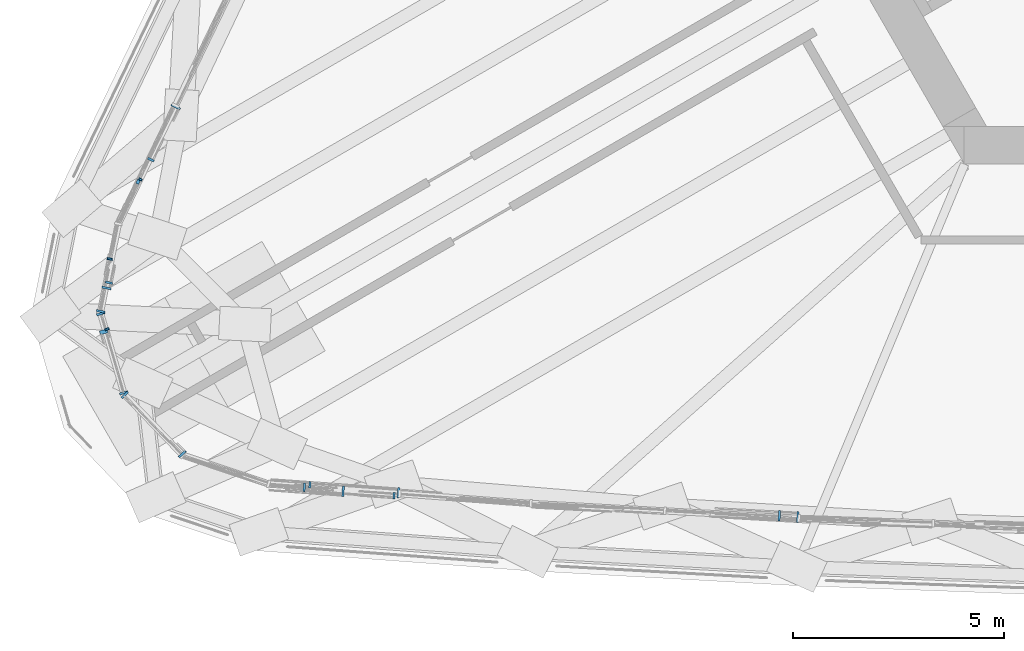
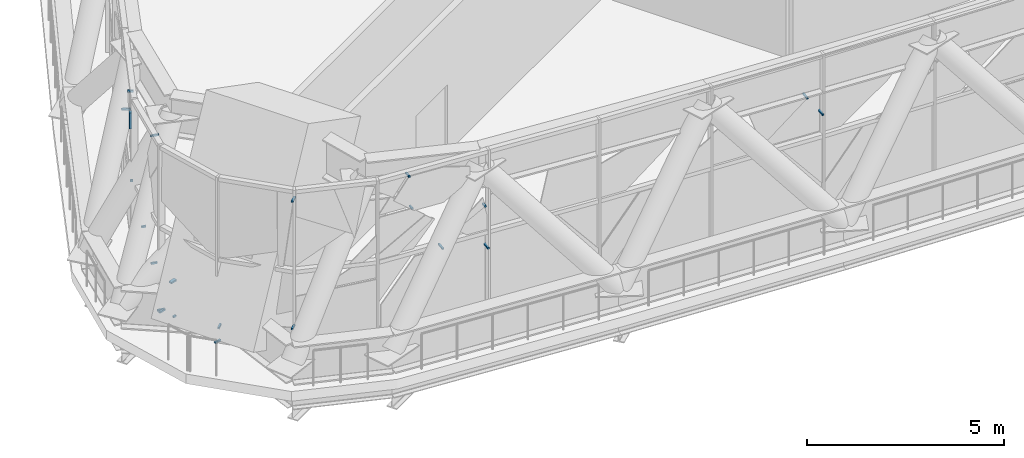
# One storey, part 33 of 43: 22 discrete accessories, 3 elements without a shape of their own.
"""IFC4 building model written with IfcOpenShell, lengths in metres."""

from ifc_helpers import new_model, si_unit, direction, frame, origin, origin_2d, place, context, subcontext, project, spatial, rectangle, extrude, material, layer, layer_set, type_object, element, aggregate, save


model = new_model("IFC4")

# Units and contexts
model_context = context("Model", 3, precision=1e-05, world=origin(), true_north=direction((0.0, 1.0)))
body_context = subcontext(model_context, "Body", "Model", "MODEL_VIEW")
ifc_project = project(units=[si_unit("LENGTHUNIT", "METRE"), si_unit("AREAUNIT", "SQUARE_METRE"), si_unit("VOLUMEUNIT", "CUBIC_METRE"), si_unit("PLANEANGLEUNIT", "RADIAN"), si_unit("MASSUNIT", "GRAM", prefix="KILO")], contexts=[model_context])

# Site, building, storey
site_placement = place(None, origin())
site = spatial("IfcSite", under=ifc_project, at=site_placement, CompositionType="ELEMENT")
building_placement = place(site_placement, origin())
building = spatial("IfcBuilding", under=site, at=building_placement, Name="Mestral Congress Tower", CompositionType="ELEMENT")
storey_placement = place(building_placement, frame((0.0, 0.0, 78.300048828125)))
storey = spatial("IfcBuildingStorey", under=building, at=storey_placement, Name="L18", CompositionType="ELEMENT", Elevation=78.300048828125)

# Curtain wall, discrete accessories
ifc_material_1 = material(Name="Clear low-emissivity double glazing", Category="glass")
curtain_wall_type = type_object("IfcCurtainWallType", Name="Facade refuge band screen", PredefinedType="USERDEFINED", material=ifc_material_1)
placement = place(storey_placement, origin())
curtain_wall_1 = element("IfcCurtainWall", 1, at=placement, inside=storey, type_object=curtain_wall_type, Name="Facade refuge band screen face 1", ObjectType="CURTAIN WALL", PredefinedType="USERDEFINED")
ifc_material_2 = material(Name="Steel S355", Category="steel")
ifc_layer = layer(ifc_material_2, 0.050048828125)
ifc_layer_set = layer_set([ifc_layer], Name="Steel S355")
discrete_accessory_type = type_object("IfcDiscreteAccessoryType", Name="Facade bracket", PredefinedType="BRACKET", material=ifc_layer_set)
discrete_accessory_1_placement = place(storey_placement, frame((-25.4521484375, -20.802490234375, 2.08837890625), z_axis=(0.0, 0.0, 1.0), x_axis=(0.997265942425, -0.073896143867, 0.0)))
discrete_accessory_1 = element("IfcDiscreteAccessory", 2, at=discrete_accessory_1_placement, type_object=discrete_accessory_type, Name="Facade bracket", PredefinedType="BRACKET", context=body_context, shape_type="SweptSolid", body=[
    extrude(rectangle(XDim=0.050048828125, YDim=0.240966796875, at=origin_2d()), origin(), (0.0, 0.0, 1.0), 0.050048828125),
])
discrete_accessory_2_placement = place(storey_placement, frame((-26.76708984375, -20.766357421875, 2.51513671875), z_axis=(0.0, 0.0, 1.0), x_axis=(0.997271356616, -0.073823040257, 0.0)))
discrete_accessory_2 = element("IfcDiscreteAccessory", 3, at=discrete_accessory_2_placement, type_object=discrete_accessory_type, Name="Facade bracket", PredefinedType="BRACKET", context=body_context, shape_type="SweptSolid", body=[
    extrude(rectangle(XDim=0.050048828125, YDim=0.247314453125, at=origin_2d()), origin(), (0.0, 0.0, 1.0), 0.050048828125),
])
discrete_accessory_3_placement = place(storey_placement, frame((-25.558349609375, -20.871337890625, 3.43896484375), z_axis=(0.0, 0.0, 1.0), x_axis=(0.997254710269, -0.07404757151, 0.0)))
discrete_accessory_3 = element("IfcDiscreteAccessory", 4, at=discrete_accessory_3_placement, type_object=discrete_accessory_type, Name="Facade bracket", PredefinedType="BRACKET", context=body_context, shape_type="SweptSolid", body=[
    extrude(rectangle(XDim=0.050048828125, YDim=0.15380859375, at=origin_2d()), origin(), (0.0, 0.0, 1.0), 0.050048828125),
])
discrete_accessory_4_placement = place(storey_placement, frame((-27.68798828125, -20.67529296875, 5.0048828125), z_axis=(0.0, 0.0, 1.0), x_axis=(0.997266716209, -0.073885700518, 0.0)))
discrete_accessory_4 = element("IfcDiscreteAccessory", 5, at=discrete_accessory_4_placement, type_object=discrete_accessory_type, Name="Facade bracket", PredefinedType="BRACKET", context=body_context, shape_type="SweptSolid", body=[
    extrude(rectangle(XDim=0.050048828125, YDim=0.204833984375, at=origin_2d()), origin(), (0.0, 0.0, 1.0), 0.050048828125),
])
discrete_accessory_5_placement = place(storey_placement, frame((-27.555908203125, -20.614990234375, 3.9130859375), z_axis=(0.0, 0.0, 1.0), x_axis=(0.997269294699, -0.073850889298, 0.0)))
discrete_accessory_5 = element("IfcDiscreteAccessory", 6, at=discrete_accessory_5_placement, type_object=discrete_accessory_type, Name="Facade bracket", PredefinedType="BRACKET", context=body_context, shape_type="SweptSolid", body=[
    extrude(rectangle(XDim=0.050048828125, YDim=0.14990234375, at=origin_2d()), origin(), (0.0, 0.0, 1.0), 0.050048828125),
])
discrete_accessory_6_placement = place(storey_placement, frame((-15.969482421875, -21.380126953125, 3.2666015625), z_axis=(0.0, 0.0, 1.0), x_axis=(0.998462027739, -0.055439869801, 0.0)))
discrete_accessory_6 = element("IfcDiscreteAccessory", 7, at=discrete_accessory_6_placement, type_object=discrete_accessory_type, Name="Facade bracket", PredefinedType="BRACKET", context=body_context, shape_type="SweptSolid", body=[
    extrude(rectangle(XDim=0.050048828125, YDim=0.25537109375, at=origin_2d()), origin(), (0.0, 0.0, 1.0), 0.050048828125),
])
discrete_accessory_7_placement = place(storey_placement, frame((-16.40869140625, -21.352783203125, 3.91259765625), z_axis=(0.0, 0.0, 1.0), x_axis=(0.998462608249, -0.055429413928, 0.0)))
discrete_accessory_7 = element("IfcDiscreteAccessory", 8, at=discrete_accessory_7_placement, type_object=discrete_accessory_type, Name="Facade bracket", PredefinedType="BRACKET", context=body_context, shape_type="SweptSolid", body=[
    extrude(rectangle(XDim=0.050048828125, YDim=0.249267578125, at=origin_2d()), origin(), (0.0, 0.0, 1.0), 0.050048828125),
])
aggregate(curtain_wall_1, [discrete_accessory_1, discrete_accessory_2, discrete_accessory_3, discrete_accessory_4, discrete_accessory_5, discrete_accessory_6, discrete_accessory_7])

curtain_wall_2 = element("IfcCurtainWall", 9, at=placement, inside=storey, type_object=curtain_wall_type, Name="Facade refuge band screen face 3", ObjectType="CURTAIN WALL", PredefinedType="USERDEFINED")
discrete_accessory_8_placement = place(storey_placement, frame((-31.580078125, -13.361328125, 1.75341796875), z_axis=(0.0, 0.0, 1.0), x_axis=(-0.434662182869, -0.900593574696, 0.0)))
discrete_accessory_8 = element("IfcDiscreteAccessory", 10, at=discrete_accessory_8_placement, type_object=discrete_accessory_type, Name="Facade bracket", PredefinedType="BRACKET", context=body_context, shape_type="SweptSolid", body=[
    extrude(rectangle(XDim=0.050048828125, YDim=0.075927734375, at=origin_2d()), origin(), (0.0, 0.0, 1.0), 0.050048828125),
])
discrete_accessory_9_placement = place(storey_placement, frame((-30.742919921875, -11.639892578125, 2.634765625), z_axis=(0.0, 0.0, 1.0), x_axis=(-0.434706193654, -0.900572332019, 0.0)))
discrete_accessory_9 = element("IfcDiscreteAccessory", 11, at=discrete_accessory_9_placement, type_object=discrete_accessory_type, Name="Facade bracket", PredefinedType="BRACKET", context=body_context, shape_type="SweptSolid", body=[
    extrude(rectangle(XDim=0.05078125, YDim=0.239501953125, at=origin_2d()), origin(), (0.0, 0.0, 1.0), 0.050048828125),
])
discrete_accessory_10_placement = place(storey_placement, frame((-31.63623046875, -13.4189453125, 3.46337890625), z_axis=(0.0, 0.0, 1.0), x_axis=(-0.434729770434, -0.900560951129, 0.0)))
discrete_accessory_10 = element("IfcDiscreteAccessory", 12, at=discrete_accessory_10_placement, type_object=discrete_accessory_type, Name="Facade bracket", PredefinedType="BRACKET", context=body_context, shape_type="SweptSolid", body=[
    extrude(rectangle(XDim=0.10595703125, YDim=0.072998046875, at=origin_2d()), origin(), (0.0, 0.0, 1.0), 0.49951171875),
])
discrete_accessory_11_placement = place(storey_placement, frame((-31.33251953125, -12.8916015625, 4.15869140625), z_axis=(0.0, 0.0, 1.0), x_axis=(-0.434679472944, -0.900585229615, 0.0)))
discrete_accessory_11 = element("IfcDiscreteAccessory", 13, at=discrete_accessory_11_placement, type_object=discrete_accessory_type, Name="Facade bracket", PredefinedType="BRACKET", context=body_context, shape_type="SweptSolid", body=[
    extrude(rectangle(XDim=0.05126953125, YDim=0.15869140625, at=origin_2d()), origin(), (0.0, 0.0, 1.0), 0.050048828125),
])
aggregate(curtain_wall_2, [discrete_accessory_8, discrete_accessory_9, discrete_accessory_10, discrete_accessory_11])

curtain_wall_3 = element("IfcCurtainWall", 14, at=placement, inside=storey, type_object=curtain_wall_type, Name="Facade refuge band screen corner 3", ObjectType="CURTAIN WALL", PredefinedType="USERDEFINED")
discrete_accessory_12_placement = place(storey_placement, frame((-32.5244140625, -16.495361328125, -0.02490234375), z_axis=(0.0, 0.0, 1.0), x_axis=(-0.198115838856, -0.980178613516, 0.0)))
discrete_accessory_12 = element("IfcDiscreteAccessory", 15, at=discrete_accessory_12_placement, type_object=discrete_accessory_type, Name="Facade bracket", PredefinedType="BRACKET", context=body_context, shape_type="SweptSolid", body=[
    extrude(rectangle(XDim=0.050048828125, YDim=0.199951171875, at=origin_2d()), origin(), (0.0, 0.0, 1.0), 0.050048828125),
])
discrete_accessory_13_placement = place(storey_placement, frame((-32.327880859375, -15.81396484375, 0.9453125), z_axis=(0.0, 0.0, 1.0), x_axis=(-0.198163739183, -0.980168930579, 0.0)))
discrete_accessory_13 = element("IfcDiscreteAccessory", 16, at=discrete_accessory_13_placement, type_object=discrete_accessory_type, Name="Facade bracket", PredefinedType="BRACKET", context=body_context, shape_type="SweptSolid", body=[
    extrude(rectangle(XDim=0.050048828125, YDim=0.17333984375, at=origin_2d()), origin(), (0.0, 0.0, 1.0), 0.050048828125),
])
discrete_accessory_14_placement = place(storey_placement, frame((-32.309326171875, -15.251220703125, 1.7275390625), z_axis=(0.0, 0.0, 1.0), x_axis=(-0.197970424252, -0.980207993806, 0.0)))
discrete_accessory_14 = element("IfcDiscreteAccessory", 17, at=discrete_accessory_14_placement, type_object=discrete_accessory_type, Name="Facade bracket", PredefinedType="BRACKET", context=body_context, shape_type="SweptSolid", body=[
    extrude(rectangle(XDim=0.05029296875, YDim=0.12255859375, at=origin_2d()), origin(), (0.0, 0.0, 1.0), 0.051025390625),
])
discrete_accessory_15_placement = place(storey_placement, frame((-32.385498046875, -15.940185546875, 5.0048828125), z_axis=(0.0, 0.0, 1.0), x_axis=(-0.197990953637, -0.980203847308, 0.0)))
discrete_accessory_15 = element("IfcDiscreteAccessory", 18, at=discrete_accessory_15_placement, type_object=discrete_accessory_type, Name="Facade bracket", PredefinedType="BRACKET", context=body_context, shape_type="SweptSolid", body=[
    extrude(rectangle(XDim=0.050048828125, YDim=0.216796875, at=origin_2d()), origin(), (0.0, 0.0, 1.0), 0.050048828125),
])
discrete_accessory_16_placement = place(storey_placement, frame((-31.977294921875, -18.4287109375, -0.02490234375), z_axis=(0.0, 0.0, 1.0), x_axis=(0.278820146696, -0.960343337456, 0.0)))
discrete_accessory_16 = element("IfcDiscreteAccessory", 19, at=discrete_accessory_16_placement, type_object=discrete_accessory_type, Name="Facade bracket", PredefinedType="BRACKET", context=body_context, shape_type="SweptSolid", body=[
    extrude(rectangle(XDim=0.050048828125, YDim=0.199951171875, at=origin_2d()), origin(), (0.0, 0.0, 1.0), 0.050048828125),
])
discrete_accessory_17_placement = place(storey_placement, frame((-32.523193359375, -16.5517578125, -0.02490234375), z_axis=(0.0, 0.0, 1.0), x_axis=(0.278707845063, -0.960375935298, 0.0)))
discrete_accessory_17 = element("IfcDiscreteAccessory", 20, at=discrete_accessory_17_placement, type_object=discrete_accessory_type, Name="Facade bracket", PredefinedType="BRACKET", context=body_context, shape_type="SweptSolid", body=[
    extrude(rectangle(XDim=0.05419921875, YDim=0.199951171875, at=origin_2d()), origin(), (0.0, 0.0, 1.0), 0.050048828125),
])
discrete_accessory_18_placement = place(storey_placement, frame((-32.372314453125, -16.917236328125, -0.02490234375), z_axis=(0.0, 0.0, 1.0), x_axis=(0.279229093538, -0.960224511936, 0.0)))
discrete_accessory_18 = element("IfcDiscreteAccessory", 21, at=discrete_accessory_18_placement, type_object=discrete_accessory_type, Name="Facade bracket", PredefinedType="BRACKET", context=body_context, shape_type="SweptSolid", body=[
    extrude(rectangle(XDim=0.050048828125, YDim=0.095947265625, at=origin_2d()), origin(), (0.0, 0.0, 1.0), 0.050048828125),
])
discrete_accessory_19_placement = place(storey_placement, frame((-32.453857421875, -16.98095703125, 1.1328125), z_axis=(0.0, 0.0, 1.0), x_axis=(0.278960937386, -0.960302449967, 0.0)))
discrete_accessory_19 = element("IfcDiscreteAccessory", 22, at=discrete_accessory_19_placement, type_object=discrete_accessory_type, Name="Facade bracket", PredefinedType="BRACKET", context=body_context, shape_type="SweptSolid", body=[
    extrude(rectangle(XDim=0.09326171875, YDim=0.188232421875, at=origin_2d()), origin(), (0.0, 0.0, 1.0), 0.05029296875),
])
discrete_accessory_20_placement = place(storey_placement, frame((-30.5966796875, -19.887939453125, 0.81787109375), z_axis=(0.0, 0.0, 1.0), x_axis=(0.692274172228, -0.721634582365, 0.0)))
discrete_accessory_20 = element("IfcDiscreteAccessory", 23, at=discrete_accessory_20_placement, type_object=discrete_accessory_type, Name="Facade bracket", PredefinedType="BRACKET", context=body_context, shape_type="SweptSolid", body=[
    extrude(rectangle(XDim=0.050048828125, YDim=0.199951171875, at=origin_2d()), origin(), (0.0, 0.0, 1.0), 0.050048828125),
])
discrete_accessory_21_placement = place(storey_placement, frame((-31.94921875, -18.479736328125, 0.466796875), z_axis=(0.0, 0.0, 1.0), x_axis=(0.692373665353, -0.721539124043, 0.0)))
discrete_accessory_21 = element("IfcDiscreteAccessory", 24, at=discrete_accessory_21_placement, type_object=discrete_accessory_type, Name="Facade bracket", PredefinedType="BRACKET", context=body_context, shape_type="SweptSolid", body=[
    extrude(rectangle(XDim=0.050048828125, YDim=0.199951171875, at=origin_2d()), origin(), (0.0, 0.0, 1.0), 0.050048828125),
])
discrete_accessory_22_placement = place(storey_placement, frame((-30.586181640625, -19.883056640625, 4.77587890625), z_axis=(0.0, 0.0, 1.0), x_axis=(0.692430332768, -0.721484742917, 0.0)))
discrete_accessory_22 = element("IfcDiscreteAccessory", 25, at=discrete_accessory_22_placement, type_object=discrete_accessory_type, Name="Facade bracket", PredefinedType="BRACKET", context=body_context, shape_type="SweptSolid", body=[
    extrude(rectangle(XDim=0.0576171875, YDim=0.22509765625, at=origin_2d()), origin(), (0.0, 0.0, 1.0), 0.050048828125),
])
aggregate(curtain_wall_3, [discrete_accessory_12, discrete_accessory_13, discrete_accessory_14, discrete_accessory_15, discrete_accessory_16, discrete_accessory_17, discrete_accessory_18, discrete_accessory_19, discrete_accessory_20, discrete_accessory_21, discrete_accessory_22])

save(model, "model.ifc")
